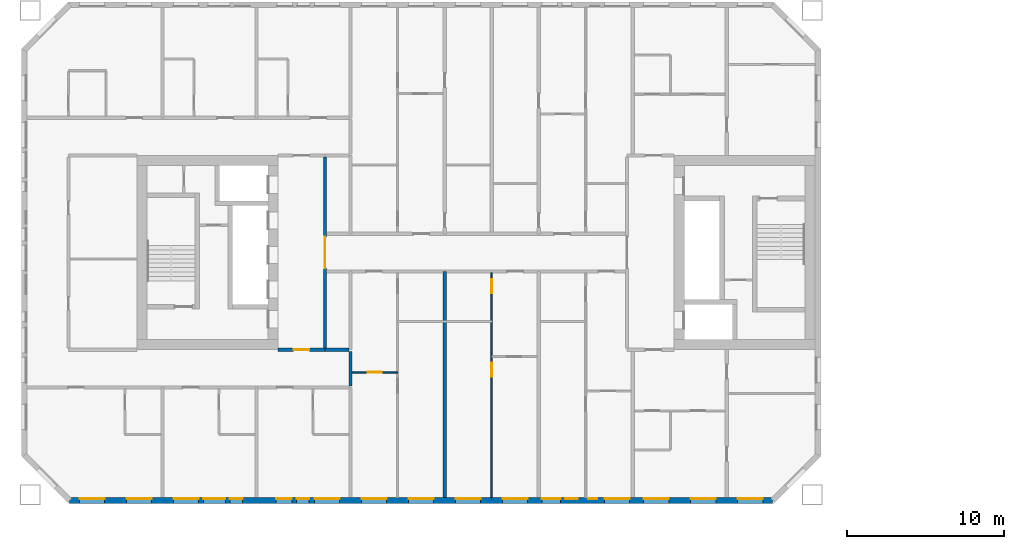
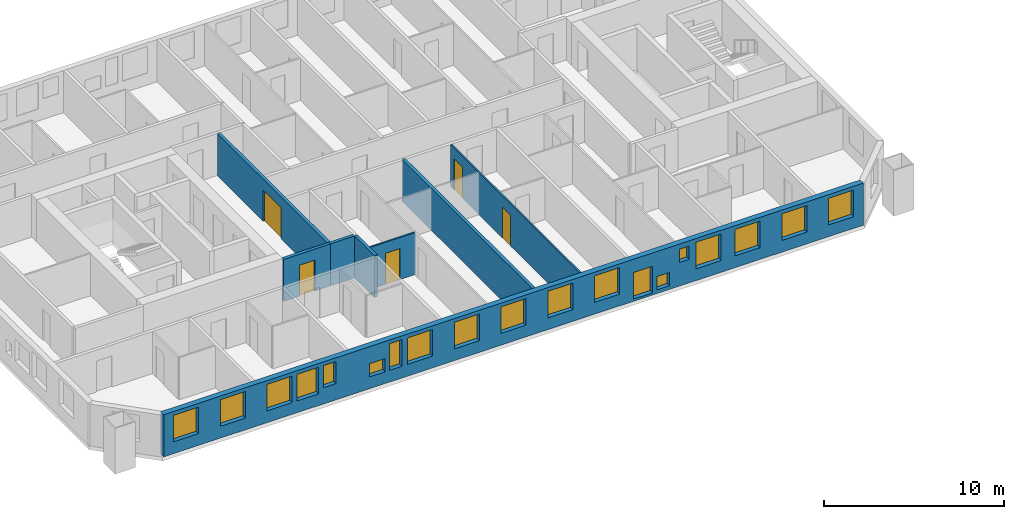
# One storey, part 4 of 17: 19 windows, 8 walls, 5 doors, 24 openings.
"""IFC4 building model written with IfcOpenShell, lengths in metres."""

from ifc_helpers import new_model, si_unit, direction, frame, frame_2d, origin, place, context, subcontext, project, spatial, rectangle, extrude, material, layer, layer_set, type_object, element, fill, save


model = new_model("IFC4")

# Units and contexts
model_context = context("Model", 3, precision=1e-05, world=origin(), true_north=direction((0.0, 1.0)))
body_context = subcontext(model_context, "Body", "Model", "MODEL_VIEW")
ifc_project = project(units=[si_unit("LENGTHUNIT", "METRE"), si_unit("AREAUNIT", "SQUARE_METRE"), si_unit("VOLUMEUNIT", "CUBIC_METRE"), si_unit("PLANEANGLEUNIT", "RADIAN"), si_unit("MASSUNIT", "GRAM", prefix="KILO")], contexts=[model_context])

# Site, building, storey
site_placement = place(None, origin())
site = spatial("IfcSite", under=ifc_project, at=site_placement, CompositionType="ELEMENT")
building_placement = place(site_placement, origin())
building = spatial("IfcBuilding", under=site, at=building_placement, Name="Tuart Gate Housing", CompositionType="ELEMENT")
storey_placement = place(building_placement, frame((0.0, 0.0, 105.699951171875)))
storey = spatial("IfcBuildingStorey", under=building, at=storey_placement, Name="L29", CompositionType="ELEMENT", Elevation=105.699951171875)

# Wall, openings, windows
ifc_material_1 = material(Name="Brick", Category="masonry")
ifc_layer_1 = layer(ifc_material_1, 0.360107421875)
ifc_layer_set_1 = layer_set([ifc_layer_1], Name="Brick pier and spandrel wall 360")
wall_type_1 = type_object("IfcWallType", Name="Brick pier and spandrel wall 360", PredefinedType="STANDARD", material=ifc_layer_set_1)
wall_1_placement = place(storey_placement, frame((28.07470703125, 54.179931640625, 0.0), z_axis=(0.0, 0.0, 1.0), x_axis=(1.0, 0.0, 0.0)))
wall_1 = element("IfcWall", 1, at=wall_1_placement, inside=storey, type_object=wall_type_1, Name="External wall A-S L29", PredefinedType="STANDARD", context=body_context, shape_type="SweptSolid", body=[
    extrude(rectangle(XDim=44.850830078125, YDim=0.360107421875, at=frame_2d((22.42529296875, 0.0))), origin(), (0.0, 0.0, 1.0), 2.85009765625),
])
opening_1_placement = place(wall_1_placement, frame((0.62548828125, 0.0, 0.800048828125)))
opening_1 = element("IfcOpeningElement", 2, at=opening_1_placement, cuts=wall_1, Name="Opening W1", PredefinedType="OPENING", context=body_context, shape_type="SweptSolid", body=[
    extrude(rectangle(XDim=1.60009765625, YDim=1.800048828125, at=frame_2d((0.800048828125, 0.89990234375))), frame((0.0, 0.18994140625, 0.0), z_axis=(0.0, -1.0, 0.0), x_axis=(1.0, 0.0, 0.0)), (0.0, 0.0, 1.0), 0.380126953125),
])
opening_2_placement = place(wall_1_placement, frame((3.62548828125, 0.0, 0.800048828125)))
opening_2 = element("IfcOpeningElement", 3, at=opening_2_placement, cuts=wall_1, Name="Opening W1", PredefinedType="OPENING", context=body_context, shape_type="SweptSolid", body=[
    extrude(rectangle(XDim=1.60009765625, YDim=1.800048828125, at=frame_2d((0.800048828125, 0.89990234375))), frame((0.0, 0.18994140625, 0.0), z_axis=(0.0, -1.0, 0.0), x_axis=(1.0, 0.0, 0.0)), (0.0, 0.0, 1.0), 0.380126953125),
])
opening_3_placement = place(wall_1_placement, frame((6.62548828125, 0.0, 0.800048828125)))
opening_3 = element("IfcOpeningElement", 4, at=opening_3_placement, cuts=wall_1, Name="Opening W1", PredefinedType="OPENING", context=body_context, shape_type="SweptSolid", body=[
    extrude(rectangle(XDim=1.60009765625, YDim=1.800048828125, at=frame_2d((0.800048828125, 0.89990234375))), frame((0.0, 0.18994140625, 0.0), z_axis=(0.0, -1.0, 0.0), x_axis=(1.0, 0.0, 0.0)), (0.0, 0.0, 1.0), 0.380126953125),
])
opening_4_placement = place(wall_1_placement, frame((8.525390625, 0.0, 0.800048828125)))
opening_4 = element("IfcOpeningElement", 5, at=opening_4_placement, cuts=wall_1, Name="Opening W1A", PredefinedType="OPENING", context=body_context, shape_type="SweptSolid", body=[
    extrude(rectangle(XDim=1.39990234375, YDim=1.800048828125, at=frame_2d((0.699951171875, 0.89990234375))), frame((0.0, 0.18994140625, 0.0), z_axis=(0.0, -1.0, 0.0), x_axis=(1.0, 0.0, 0.0)), (0.0, 0.0, 1.0), 0.380126953125),
])
opening_5_placement = place(wall_1_placement, frame((13.17529296875, 0.0, 0.800048828125)))
opening_5 = element("IfcOpeningElement", 6, at=opening_5_placement, cuts=wall_1, Name="Opening W1U", PredefinedType="OPENING", context=body_context, shape_type="SweptSolid", body=[
    extrude(rectangle(XDim=1.0, YDim=0.89990234375, at=frame_2d((0.5, 0.449951171875))), frame((0.0, 0.18994140625, 0.0), z_axis=(0.0, -1.0, 0.0), x_axis=(1.0, 0.0, 0.0)), (0.0, 0.0, 1.0), 0.380126953125),
])
opening_6_placement = place(wall_1_placement, frame((15.62548828125, 0.0, 0.800048828125)))
opening_6 = element("IfcOpeningElement", 7, at=opening_6_placement, cuts=wall_1, Name="Opening W1", PredefinedType="OPENING", context=body_context, shape_type="SweptSolid", body=[
    extrude(rectangle(XDim=1.60009765625, YDim=1.800048828125, at=frame_2d((0.800048828125, 0.89990234375))), frame((0.0, 0.18994140625, 0.0), z_axis=(0.0, -1.0, 0.0), x_axis=(1.0, 0.0, 0.0)), (0.0, 0.0, 1.0), 0.380126953125),
])
opening_7_placement = place(wall_1_placement, frame((18.62548828125, 0.0, 0.800048828125)))
opening_7 = element("IfcOpeningElement", 8, at=opening_7_placement, cuts=wall_1, Name="Opening W1", PredefinedType="OPENING", context=body_context, shape_type="SweptSolid", body=[
    extrude(rectangle(XDim=1.60009765625, YDim=1.800048828125, at=frame_2d((0.800048828125, 0.89990234375))), frame((0.0, 0.18994140625, 0.0), z_axis=(0.0, -1.0, 0.0), x_axis=(1.0, 0.0, 0.0)), (0.0, 0.0, 1.0), 0.380126953125),
])
opening_8_placement = place(wall_1_placement, frame((21.62548828125, 0.0, 0.800048828125)))
opening_8 = element("IfcOpeningElement", 9, at=opening_8_placement, cuts=wall_1, Name="Opening W1", PredefinedType="OPENING", context=body_context, shape_type="SweptSolid", body=[
    extrude(rectangle(XDim=1.60009765625, YDim=1.800048828125, at=frame_2d((0.800048828125, 0.89990234375))), frame((0.0, 0.18994140625, 0.0), z_axis=(0.0, -1.0, 0.0), x_axis=(1.0, 0.0, 0.0)), (0.0, 0.0, 1.0), 0.380126953125),
])
opening_9_placement = place(wall_1_placement, frame((24.62548828125, 0.0, 0.800048828125)))
opening_9 = element("IfcOpeningElement", 10, at=opening_9_placement, cuts=wall_1, Name="Opening W1", PredefinedType="OPENING", context=body_context, shape_type="SweptSolid", body=[
    extrude(rectangle(XDim=1.60009765625, YDim=1.800048828125, at=frame_2d((0.800048828125, 0.89990234375))), frame((0.0, 0.18994140625, 0.0), z_axis=(0.0, -1.0, 0.0), x_axis=(1.0, 0.0, 0.0)), (0.0, 0.0, 1.0), 0.380126953125),
])
opening_10_placement = place(wall_1_placement, frame((27.62548828125, 0.0, 0.800048828125)))
opening_10 = element("IfcOpeningElement", 11, at=opening_10_placement, cuts=wall_1, Name="Opening W1", PredefinedType="OPENING", context=body_context, shape_type="SweptSolid", body=[
    extrude(rectangle(XDim=1.60009765625, YDim=1.800048828125, at=frame_2d((0.800048828125, 0.89990234375))), frame((0.0, 0.18994140625, 0.0), z_axis=(0.0, -1.0, 0.0), x_axis=(1.0, 0.0, 0.0)), (0.0, 0.0, 1.0), 0.380126953125),
])
opening_11_placement = place(wall_1_placement, frame((30.12548828125, 0.0, 0.14990234375)))
opening_11 = element("IfcOpeningElement", 12, at=opening_11_placement, cuts=wall_1, Name="Opening W1B", PredefinedType="OPENING", context=body_context, shape_type="SweptSolid", body=[
    extrude(rectangle(XDim=1.199951171875, YDim=1.800048828125, at=frame_2d((0.60009765625, 0.89990234375))), frame((0.0, 0.18994140625, 0.0), z_axis=(0.0, -1.0, 0.0), x_axis=(1.0, 0.0, 0.0)), (0.0, 0.0, 1.0), 0.380126953125),
])
opening_12_placement = place(wall_1_placement, frame((33.075439453125, 0.0, 1.60009765625)))
opening_12 = element("IfcOpeningElement", 13, at=opening_12_placement, cuts=wall_1, Name="Opening W1W", PredefinedType="OPENING", context=body_context, shape_type="SweptSolid", body=[
    extrude(rectangle(XDim=0.60009765625, YDim=0.89990234375, at=frame_2d((0.300048828125, 0.449951171875))), frame((0.0, 0.18994140625, 0.0), z_axis=(0.0, -1.0, 0.0), x_axis=(1.0, 0.0, 0.0)), (0.0, 0.0, 1.0), 0.380126953125),
])
opening_13_placement = place(wall_1_placement, frame((36.62548828125, 0.0, 0.800048828125)))
opening_13 = element("IfcOpeningElement", 14, at=opening_13_placement, cuts=wall_1, Name="Opening W1", PredefinedType="OPENING", context=body_context, shape_type="SweptSolid", body=[
    extrude(rectangle(XDim=1.60009765625, YDim=1.800048828125, at=frame_2d((0.800048828125, 0.89990234375))), frame((0.0, 0.18994140625, 0.0), z_axis=(0.0, -1.0, 0.0), x_axis=(1.0, 0.0, 0.0)), (0.0, 0.0, 1.0), 0.380126953125),
])
opening_14_placement = place(wall_1_placement, frame((39.62548828125, 0.0, 0.800048828125)))
opening_14 = element("IfcOpeningElement", 15, at=opening_14_placement, cuts=wall_1, Name="Opening W1", PredefinedType="OPENING", context=body_context, shape_type="SweptSolid", body=[
    extrude(rectangle(XDim=1.60009765625, YDim=1.800048828125, at=frame_2d((0.800048828125, 0.89990234375))), frame((0.0, 0.18994140625, 0.0), z_axis=(0.0, -1.0, 0.0), x_axis=(1.0, 0.0, 0.0)), (0.0, 0.0, 1.0), 0.380126953125),
])
opening_15_placement = place(wall_1_placement, frame((42.62548828125, 0.0, 0.800048828125)))
opening_15 = element("IfcOpeningElement", 16, at=opening_15_placement, cuts=wall_1, Name="Opening W1", PredefinedType="OPENING", context=body_context, shape_type="SweptSolid", body=[
    extrude(rectangle(XDim=1.60009765625, YDim=1.800048828125, at=frame_2d((0.800048828125, 0.89990234375))), frame((0.0, 0.18994140625, 0.0), z_axis=(0.0, -1.0, 0.0), x_axis=(1.0, 0.0, 0.0)), (0.0, 0.0, 1.0), 0.380126953125),
])
opening_16_placement = place(wall_1_placement, frame((10.225341796875, 0.0, 1.10009765625)))
opening_16 = element("IfcOpeningElement", 17, at=opening_16_placement, cuts=wall_1, Name="Opening W1J", PredefinedType="OPENING", context=body_context, shape_type="SweptSolid", body=[
    extrude(rectangle(XDim=0.800048828125, YDim=1.5, at=frame_2d((0.39990234375, 0.75))), frame((0.0, 0.18994140625, 0.0), z_axis=(0.0, -1.0, 0.0), x_axis=(1.0, 0.0, 0.0)), (0.0, 0.0, 1.0), 0.380126953125),
])
opening_17_placement = place(wall_1_placement, frame((14.475341796875, 0.0, 0.800048828125)))
opening_17 = element("IfcOpeningElement", 18, at=opening_17_placement, cuts=wall_1, Name="Opening W1D", PredefinedType="OPENING", context=body_context, shape_type="SweptSolid", body=[
    extrude(rectangle(XDim=0.800048828125, YDim=1.800048828125, at=frame_2d((0.39990234375, 0.89990234375))), frame((0.0, 0.18994140625, 0.0), z_axis=(0.0, -1.0, 0.0), x_axis=(1.0, 0.0, 0.0)), (0.0, 0.0, 1.0), 0.380126953125),
])
opening_18_placement = place(wall_1_placement, frame((31.62548828125, 0.0, 0.25)))
opening_18 = element("IfcOpeningElement", 19, at=opening_18_placement, cuts=wall_1, Name="Opening W1V", PredefinedType="OPENING", context=body_context, shape_type="SweptSolid", body=[
    extrude(rectangle(XDim=0.800048828125, YDim=0.89990234375, at=frame_2d((0.39990234375, 0.449951171875))), frame((0.0, 0.18994140625, 0.0), z_axis=(0.0, -1.0, 0.0), x_axis=(1.0, 0.0, 0.0)), (0.0, 0.0, 1.0), 0.380126953125),
])
opening_19_placement = place(wall_1_placement, frame((34.12548828125, 0.0, 0.800048828125)))
opening_19 = element("IfcOpeningElement", 20, at=opening_19_placement, cuts=wall_1, Name="Opening W1", PredefinedType="OPENING", context=body_context, shape_type="SweptSolid", body=[
    extrude(rectangle(XDim=1.60009765625, YDim=1.800048828125, at=frame_2d((0.800048828125, 0.89990234375))), frame((0.0, 0.18994140625, 0.0), z_axis=(0.0, -1.0, 0.0), x_axis=(1.0, 0.0, 0.0)), (0.0, 0.0, 1.0), 0.380126953125),
])
ifc_material_2 = material(Name="Aluminium frame with clear glass", Category="aluminium")
window_type_1 = type_object("IfcWindowType", Name="Punched window 1000 x 900", PartitioningType="SINGLE_PANEL", PredefinedType="WINDOW", material=ifc_material_2)
window_1_placement = place(opening_5_placement, origin())
window_1 = element("IfcWindow", 21, at=window_1_placement, inside=storey, type_object=window_type_1, Name="Window W1U", OverallHeight=0.89990234375, OverallWidth=1.0, PartitioningType="SINGLE_PANEL", PredefinedType="WINDOW", context=body_context, shape_type="SweptSolid", body=[
    extrude(rectangle(XDim=1.0, YDim=0.89990234375, at=frame_2d((0.5, 0.449951171875))), frame((0.0, 0.150146484375, 0.0), z_axis=(0.0, -1.0, 0.0), x_axis=(1.0, 0.0, 0.0)), (0.0, 0.0, 1.0), 0.06005859375),
])
fill(opening_5, window_1)
ifc_material_3 = material(Name="Aluminium frame with clear glass", Category="aluminium")
window_type_2 = type_object("IfcWindowType", Name="Punched window 1200 x 1800", PartitioningType="SINGLE_PANEL", PredefinedType="WINDOW", material=ifc_material_3)
window_2_placement = place(opening_11_placement, origin())
window_2 = element("IfcWindow", 22, at=window_2_placement, inside=storey, type_object=window_type_2, Name="Window W1B", OverallHeight=1.800048828125, OverallWidth=1.199951171875, PartitioningType="SINGLE_PANEL", PredefinedType="WINDOW", context=body_context, shape_type="SweptSolid", body=[
    extrude(rectangle(XDim=1.199951171875, YDim=1.800048828125, at=frame_2d((0.60009765625, 0.89990234375))), frame((0.0, 0.150146484375, 0.0), z_axis=(0.0, -1.0, 0.0), x_axis=(1.0, 0.0, 0.0)), (0.0, 0.0, 1.0), 0.06005859375),
])
fill(opening_11, window_2)
ifc_material_4 = material(Name="Aluminium frame with clear glass", Category="aluminium")
window_type_3 = type_object("IfcWindowType", Name="Punched window 1400 x 1800", PartitioningType="SINGLE_PANEL", PredefinedType="WINDOW", material=ifc_material_4)
window_3_placement = place(opening_4_placement, origin())
window_3 = element("IfcWindow", 23, at=window_3_placement, inside=storey, type_object=window_type_3, Name="Window W1A", OverallHeight=1.800048828125, OverallWidth=1.39990234375, PartitioningType="SINGLE_PANEL", PredefinedType="WINDOW", context=body_context, shape_type="SweptSolid", body=[
    extrude(rectangle(XDim=1.39990234375, YDim=1.800048828125, at=frame_2d((0.699951171875, 0.89990234375))), frame((0.0, 0.150146484375, 0.0), z_axis=(0.0, -1.0, 0.0), x_axis=(1.0, 0.0, 0.0)), (0.0, 0.0, 1.0), 0.06005859375),
])
fill(opening_4, window_3)
ifc_material_5 = material(Name="Aluminium frame with clear glass", Category="aluminium")
window_type_4 = type_object("IfcWindowType", Name="Punched window 1600 x 1800", PartitioningType="SINGLE_PANEL", PredefinedType="WINDOW", material=ifc_material_5)
window_4_placement = place(opening_1_placement, origin())
window_4 = element("IfcWindow", 24, at=window_4_placement, inside=storey, type_object=window_type_4, Name="Window W1", OverallHeight=1.800048828125, OverallWidth=1.60009765625, PartitioningType="SINGLE_PANEL", PredefinedType="WINDOW", context=body_context, shape_type="SweptSolid", body=[
    extrude(rectangle(XDim=1.60009765625, YDim=1.800048828125, at=frame_2d((0.800048828125, 0.89990234375))), frame((0.0, 0.150146484375, 0.0), z_axis=(0.0, -1.0, 0.0), x_axis=(1.0, 0.0, 0.0)), (0.0, 0.0, 1.0), 0.06005859375),
])
fill(opening_1, window_4)
window_5_placement = place(opening_2_placement, origin())
window_5 = element("IfcWindow", 25, at=window_5_placement, inside=storey, type_object=window_type_4, Name="Window W1", OverallHeight=1.800048828125, OverallWidth=1.60009765625, PartitioningType="SINGLE_PANEL", PredefinedType="WINDOW", context=body_context, shape_type="SweptSolid", body=[
    extrude(rectangle(XDim=1.60009765625, YDim=1.800048828125, at=frame_2d((0.800048828125, 0.89990234375))), frame((0.0, 0.150146484375, 0.0), z_axis=(0.0, -1.0, 0.0), x_axis=(1.0, 0.0, 0.0)), (0.0, 0.0, 1.0), 0.06005859375),
])
fill(opening_2, window_5)
window_6_placement = place(opening_3_placement, origin())
window_6 = element("IfcWindow", 26, at=window_6_placement, inside=storey, type_object=window_type_4, Name="Window W1", OverallHeight=1.800048828125, OverallWidth=1.60009765625, PartitioningType="SINGLE_PANEL", PredefinedType="WINDOW", context=body_context, shape_type="SweptSolid", body=[
    extrude(rectangle(XDim=1.60009765625, YDim=1.800048828125, at=frame_2d((0.800048828125, 0.89990234375))), frame((0.0, 0.150146484375, 0.0), z_axis=(0.0, -1.0, 0.0), x_axis=(1.0, 0.0, 0.0)), (0.0, 0.0, 1.0), 0.06005859375),
])
fill(opening_3, window_6)
window_7_placement = place(opening_6_placement, origin())
window_7 = element("IfcWindow", 27, at=window_7_placement, inside=storey, type_object=window_type_4, Name="Window W1", OverallHeight=1.800048828125, OverallWidth=1.60009765625, PartitioningType="SINGLE_PANEL", PredefinedType="WINDOW", context=body_context, shape_type="SweptSolid", body=[
    extrude(rectangle(XDim=1.60009765625, YDim=1.800048828125, at=frame_2d((0.800048828125, 0.89990234375))), frame((0.0, 0.150146484375, 0.0), z_axis=(0.0, -1.0, 0.0), x_axis=(1.0, 0.0, 0.0)), (0.0, 0.0, 1.0), 0.06005859375),
])
fill(opening_6, window_7)
window_8_placement = place(opening_7_placement, origin())
window_8 = element("IfcWindow", 28, at=window_8_placement, inside=storey, type_object=window_type_4, Name="Window W1", OverallHeight=1.800048828125, OverallWidth=1.60009765625, PartitioningType="SINGLE_PANEL", PredefinedType="WINDOW", context=body_context, shape_type="SweptSolid", body=[
    extrude(rectangle(XDim=1.60009765625, YDim=1.800048828125, at=frame_2d((0.800048828125, 0.89990234375))), frame((0.0, 0.150146484375, 0.0), z_axis=(0.0, -1.0, 0.0), x_axis=(1.0, 0.0, 0.0)), (0.0, 0.0, 1.0), 0.06005859375),
])
fill(opening_7, window_8)
window_9_placement = place(opening_8_placement, origin())
window_9 = element("IfcWindow", 29, at=window_9_placement, inside=storey, type_object=window_type_4, Name="Window W1", OverallHeight=1.800048828125, OverallWidth=1.60009765625, PartitioningType="SINGLE_PANEL", PredefinedType="WINDOW", context=body_context, shape_type="SweptSolid", body=[
    extrude(rectangle(XDim=1.60009765625, YDim=1.800048828125, at=frame_2d((0.800048828125, 0.89990234375))), frame((0.0, 0.150146484375, 0.0), z_axis=(0.0, -1.0, 0.0), x_axis=(1.0, 0.0, 0.0)), (0.0, 0.0, 1.0), 0.06005859375),
])
fill(opening_8, window_9)
window_10_placement = place(opening_9_placement, origin())
window_10 = element("IfcWindow", 30, at=window_10_placement, inside=storey, type_object=window_type_4, Name="Window W1", OverallHeight=1.800048828125, OverallWidth=1.60009765625, PartitioningType="SINGLE_PANEL", PredefinedType="WINDOW", context=body_context, shape_type="SweptSolid", body=[
    extrude(rectangle(XDim=1.60009765625, YDim=1.800048828125, at=frame_2d((0.800048828125, 0.89990234375))), frame((0.0, 0.150146484375, 0.0), z_axis=(0.0, -1.0, 0.0), x_axis=(1.0, 0.0, 0.0)), (0.0, 0.0, 1.0), 0.06005859375),
])
fill(opening_9, window_10)
window_11_placement = place(opening_10_placement, origin())
window_11 = element("IfcWindow", 31, at=window_11_placement, inside=storey, type_object=window_type_4, Name="Window W1", OverallHeight=1.800048828125, OverallWidth=1.60009765625, PartitioningType="SINGLE_PANEL", PredefinedType="WINDOW", context=body_context, shape_type="SweptSolid", body=[
    extrude(rectangle(XDim=1.60009765625, YDim=1.800048828125, at=frame_2d((0.800048828125, 0.89990234375))), frame((0.0, 0.150146484375, 0.0), z_axis=(0.0, -1.0, 0.0), x_axis=(1.0, 0.0, 0.0)), (0.0, 0.0, 1.0), 0.06005859375),
])
fill(opening_10, window_11)
window_12_placement = place(opening_13_placement, origin())
window_12 = element("IfcWindow", 32, at=window_12_placement, inside=storey, type_object=window_type_4, Name="Window W1", OverallHeight=1.800048828125, OverallWidth=1.60009765625, PartitioningType="SINGLE_PANEL", PredefinedType="WINDOW", context=body_context, shape_type="SweptSolid", body=[
    extrude(rectangle(XDim=1.60009765625, YDim=1.800048828125, at=frame_2d((0.800048828125, 0.89990234375))), frame((0.0, 0.150146484375, 0.0), z_axis=(0.0, -1.0, 0.0), x_axis=(1.0, 0.0, 0.0)), (0.0, 0.0, 1.0), 0.06005859375),
])
fill(opening_13, window_12)
window_13_placement = place(opening_14_placement, origin())
window_13 = element("IfcWindow", 33, at=window_13_placement, inside=storey, type_object=window_type_4, Name="Window W1", OverallHeight=1.800048828125, OverallWidth=1.60009765625, PartitioningType="SINGLE_PANEL", PredefinedType="WINDOW", context=body_context, shape_type="SweptSolid", body=[
    extrude(rectangle(XDim=1.60009765625, YDim=1.800048828125, at=frame_2d((0.800048828125, 0.89990234375))), frame((0.0, 0.150146484375, 0.0), z_axis=(0.0, -1.0, 0.0), x_axis=(1.0, 0.0, 0.0)), (0.0, 0.0, 1.0), 0.06005859375),
])
fill(opening_14, window_13)
window_14_placement = place(opening_15_placement, origin())
window_14 = element("IfcWindow", 34, at=window_14_placement, inside=storey, type_object=window_type_4, Name="Window W1", OverallHeight=1.800048828125, OverallWidth=1.60009765625, PartitioningType="SINGLE_PANEL", PredefinedType="WINDOW", context=body_context, shape_type="SweptSolid", body=[
    extrude(rectangle(XDim=1.60009765625, YDim=1.800048828125, at=frame_2d((0.800048828125, 0.89990234375))), frame((0.0, 0.150146484375, 0.0), z_axis=(0.0, -1.0, 0.0), x_axis=(1.0, 0.0, 0.0)), (0.0, 0.0, 1.0), 0.06005859375),
])
fill(opening_15, window_14)
window_15_placement = place(opening_19_placement, origin())
window_15 = element("IfcWindow", 35, at=window_15_placement, inside=storey, type_object=window_type_4, Name="Window W1", OverallHeight=1.800048828125, OverallWidth=1.60009765625, PartitioningType="SINGLE_PANEL", PredefinedType="WINDOW", context=body_context, shape_type="SweptSolid", body=[
    extrude(rectangle(XDim=1.60009765625, YDim=1.800048828125, at=frame_2d((0.800048828125, 0.89990234375))), frame((0.0, 0.150146484375, 0.0), z_axis=(0.0, -1.0, 0.0), x_axis=(1.0, 0.0, 0.0)), (0.0, 0.0, 1.0), 0.06005859375),
])
fill(opening_19, window_15)
ifc_material_6 = material(Name="Aluminium frame with clear glass", Category="aluminium")
window_type_5 = type_object("IfcWindowType", Name="Punched window 600 x 900", PartitioningType="SINGLE_PANEL", PredefinedType="WINDOW", material=ifc_material_6)
window_16_placement = place(opening_12_placement, origin())
window_16 = element("IfcWindow", 36, at=window_16_placement, inside=storey, type_object=window_type_5, Name="Window W1W", OverallHeight=0.89990234375, OverallWidth=0.60009765625, PartitioningType="SINGLE_PANEL", PredefinedType="WINDOW", context=body_context, shape_type="SweptSolid", body=[
    extrude(rectangle(XDim=0.60009765625, YDim=0.89990234375, at=frame_2d((0.300048828125, 0.449951171875))), frame((0.0, 0.150146484375, 0.0), z_axis=(0.0, -1.0, 0.0), x_axis=(1.0, 0.0, 0.0)), (0.0, 0.0, 1.0), 0.06005859375),
])
fill(opening_12, window_16)
ifc_material_7 = material(Name="Aluminium frame with clear glass", Category="aluminium")
window_type_6 = type_object("IfcWindowType", Name="Punched window 800 x 1500", PartitioningType="SINGLE_PANEL", PredefinedType="WINDOW", material=ifc_material_7)
window_17_placement = place(opening_16_placement, origin())
window_17 = element("IfcWindow", 37, at=window_17_placement, inside=storey, type_object=window_type_6, Name="Window W1J", OverallHeight=1.5, OverallWidth=0.800048828125, PartitioningType="SINGLE_PANEL", PredefinedType="WINDOW", context=body_context, shape_type="SweptSolid", body=[
    extrude(rectangle(XDim=0.800048828125, YDim=1.5, at=frame_2d((0.39990234375, 0.75))), frame((0.0, 0.150146484375, 0.0), z_axis=(0.0, -1.0, 0.0), x_axis=(1.0, 0.0, 0.0)), (0.0, 0.0, 1.0), 0.06005859375),
])
fill(opening_16, window_17)
ifc_material_8 = material(Name="Aluminium frame with clear glass", Category="aluminium")
window_type_7 = type_object("IfcWindowType", Name="Punched window 800 x 1800", PartitioningType="SINGLE_PANEL", PredefinedType="WINDOW", material=ifc_material_8)
window_18_placement = place(opening_17_placement, origin())
window_18 = element("IfcWindow", 38, at=window_18_placement, inside=storey, type_object=window_type_7, Name="Window W1D", OverallHeight=1.800048828125, OverallWidth=0.800048828125, PartitioningType="SINGLE_PANEL", PredefinedType="WINDOW", context=body_context, shape_type="SweptSolid", body=[
    extrude(rectangle(XDim=0.800048828125, YDim=1.800048828125, at=frame_2d((0.39990234375, 0.89990234375))), frame((0.0, 0.150146484375, 0.0), z_axis=(0.0, -1.0, 0.0), x_axis=(1.0, 0.0, 0.0)), (0.0, 0.0, 1.0), 0.06005859375),
])
fill(opening_17, window_18)
ifc_material_9 = material(Name="Aluminium frame with clear glass", Category="aluminium")
window_type_8 = type_object("IfcWindowType", Name="Punched window 800 x 900", PartitioningType="SINGLE_PANEL", PredefinedType="WINDOW", material=ifc_material_9)
window_19_placement = place(opening_18_placement, origin())
window_19 = element("IfcWindow", 39, at=window_19_placement, inside=storey, type_object=window_type_8, Name="Window W1V", OverallHeight=0.89990234375, OverallWidth=0.800048828125, PartitioningType="SINGLE_PANEL", PredefinedType="WINDOW", context=body_context, shape_type="SweptSolid", body=[
    extrude(rectangle(XDim=0.800048828125, YDim=0.89990234375, at=frame_2d((0.39990234375, 0.449951171875))), frame((0.0, 0.150146484375, 0.0), z_axis=(0.0, -1.0, 0.0), x_axis=(1.0, 0.0, 0.0)), (0.0, 0.0, 1.0), 0.06005859375),
])
fill(opening_18, window_19)

# Walls
ifc_material_10 = material(Name="Concrete masonry 15 MPa", Category="masonry")
ifc_layer_2 = layer(ifc_material_10, 0.199951171875)
ifc_layer_set_2 = layer_set([ifc_layer_2], Name="Corridor wall masonry 200")
wall_type_2 = type_object("IfcWallType", Name="Corridor wall masonry 200", PredefinedType="PARTITIONING", material=ifc_layer_set_2)
wall_2_placement = place(storey_placement, frame((44.360107421875, 63.800048828125, 0.0), z_axis=(0.0, 0.0, 1.0), x_axis=(1.0, 0.0, 0.0)))
element("IfcWall", 40, at=wall_2_placement, inside=storey, type_object=wall_type_2, Name="Corridor wall masonry 200", PredefinedType="PARTITIONING", context=body_context, shape_type="SweptSolid", body=[
    extrude(rectangle(XDim=1.539794921875, YDim=0.199951171875, at=frame_2d((0.77001953125, 0.0))), origin(), (0.0, 0.0, 1.0), 2.85009765625),
])
wall_3_placement = place(storey_placement, frame((46.0, 61.5, 0.0), z_axis=(0.0, 0.0, 1.0), x_axis=(0.0, 1.0, 0.0)))
element("IfcWall", 41, at=wall_3_placement, inside=storey, type_object=wall_type_2, Name="Corridor wall masonry 200", PredefinedType="PARTITIONING", context=body_context, shape_type="SweptSolid", body=[
    extrude(rectangle(XDim=2.199951171875, YDim=0.199951171875, at=frame_2d((1.10009765625, 0.0))), origin(), (0.0, 0.0, 1.0), 2.85009765625),
])

# Wall, opening, door
ifc_material_11 = material(Name="Concrete masonry 15 MPa", Category="masonry")
ifc_layer_3 = layer(ifc_material_11, 0.199951171875)
ifc_layer_set_3 = layer_set([ifc_layer_3], Name="Enclosure wall masonry 200")
wall_type_3 = type_object("IfcWallType", Name="Enclosure wall masonry 200", PredefinedType="PARTITIONING", material=ifc_layer_set_3)
wall_4_placement = place(storey_placement, frame((41.360107421875, 63.800048828125, 0.0), z_axis=(0.0, 0.0, 1.0), x_axis=(1.0, 0.0, 0.0)))
wall_4 = element("IfcWall", 42, at=wall_4_placement, inside=storey, type_object=wall_type_3, Name="Enclosure wall masonry 200", PredefinedType="PARTITIONING", context=body_context, shape_type="SweptSolid", body=[
    extrude(rectangle(XDim=3.0, YDim=0.199951171875, at=frame_2d((1.5, 0.0))), origin(), (0.0, 0.0, 1.0), 2.85009765625),
])
opening_20_placement = place(wall_4_placement, frame((1.0, 0.0, 0.0)))
opening_20 = element("IfcOpeningElement", 43, at=opening_20_placement, cuts=wall_4, Name="Opening D1216", PredefinedType="OPENING", context=body_context, shape_type="SweptSolid", body=[
    extrude(rectangle(XDim=1.0, YDim=2.10009765625, at=frame_2d((0.5, 1.050048828125))), frame((0.0, 0.10986328125, 0.0), z_axis=(0.0, -1.0, 0.0), x_axis=(1.0, 0.0, 0.0)), (0.0, 0.0, 1.0), 0.219970703125),
])
ifc_material_12 = material(Name="Timber door leaf in steel frame", Category="steel")
door_type_1 = type_object("IfcDoorType", Name="Fire door 1000", OperationType="SINGLE_SWING_LEFT", PredefinedType="DOOR", material=ifc_material_12)
door_1_placement = place(opening_20_placement, frame((1.0, 0.0, 0.0), z_axis=(0.0, 0.0, 1.0), x_axis=(-1.0, 0.0, 0.0)))
door_1 = element("IfcDoor", 44, at=door_1_placement, inside=storey, type_object=door_type_1, Name="Fire door", OperationType="SINGLE_SWING_LEFT", OverallHeight=2.10009765625, OverallWidth=1.0, PredefinedType="DOOR", context=body_context, shape_type="SweptSolid", body=[
    extrude(rectangle(XDim=1.0, YDim=2.10009765625, at=frame_2d((0.5, 1.050048828125))), frame((0.0, 0.025146484375, 0.0), z_axis=(0.0, -1.0, 0.0), x_axis=(1.0, 0.0, 0.0)), (0.0, 0.0, 1.0), 0.050048828125),
])
fill(opening_20, door_1)

ifc_material_13 = material(Name="Plasterboard partition")
ifc_layer_4 = layer(ifc_material_13, 0.199951171875)
ifc_layer_set_4 = layer_set([ifc_layer_4], Name="Lobby wall 200")
wall_type_4 = type_object("IfcWallType", Name="Lobby wall 200", PredefinedType="PARTITIONING", material=ifc_layer_set_4)
wall_5_placement = place(storey_placement, frame((44.360107421875, 63.89990234375, 0.0), z_axis=(0.0, 0.0, 1.0), x_axis=(0.0, 1.0, 0.0)))
wall_5 = element("IfcWall", 45, at=wall_5_placement, inside=storey, type_object=wall_type_4, Name="Lift lobby wall AK", PredefinedType="PARTITIONING", context=body_context, shape_type="SweptSolid", body=[
    extrude(rectangle(XDim=12.2001953125, YDim=0.199951171875, at=frame_2d((6.10009765625, 0.0))), origin(), (0.0, 0.0, 1.0), 2.85009765625),
])
opening_21_placement = place(wall_5_placement, frame((5.10009765625, 0.0, 0.0)))
opening_21 = element("IfcOpeningElement", 46, at=opening_21_placement, cuts=wall_5, Name="Opening D1208", PredefinedType="OPENING", context=body_context, shape_type="SweptSolid", body=[
    extrude(rectangle(XDim=2.0, YDim=2.10009765625, at=frame_2d((1.0, 1.050048828125))), frame((0.0, 0.10986328125, 0.0), z_axis=(0.0, -1.0, 0.0), x_axis=(1.0, 0.0, 0.0)), (0.0, 0.0, 1.0), 0.219970703125),
])
ifc_material_14 = material(Name="Steel fire door", Category="steel")
door_type_2 = type_object("IfcDoorType", Name="Smoke door 2000 x 2100", OperationType="DOUBLE_DOOR_SINGLE_SWING", PredefinedType="DOOR", material=ifc_material_14)
door_2_placement = place(opening_21_placement, origin())
door_2 = element("IfcDoor", 47, at=door_2_placement, inside=storey, type_object=door_type_2, Name="Lift lobby smoke door AK", OperationType="DOUBLE_DOOR_SINGLE_SWING", OverallHeight=2.10009765625, OverallWidth=2.0, PredefinedType="DOOR", context=body_context, shape_type="SweptSolid", body=[
    extrude(rectangle(XDim=2.0, YDim=2.10009765625, at=frame_2d((1.0, 1.050048828125))), frame((0.0, 0.02490234375, 0.0), z_axis=(0.0, -1.0, 0.0), x_axis=(1.0, 0.0, 0.0)), (0.0, 0.0, 1.0), 0.050048828125),
])
fill(opening_21, door_2)

ifc_material_15 = material(Name="Gypsum board on steel studs", Category="steel")
ifc_layer_5 = layer(ifc_material_15, 0.10009765625)
ifc_layer_set_5 = layer_set([ifc_layer_5], Name="Partition 100")
wall_type_5 = type_object("IfcWallType", Name="Partition 100", PredefinedType="PARTITIONING", material=ifc_layer_set_5)
wall_6_placement = place(storey_placement, frame((46.10009765625, 62.360107421875, 0.0), z_axis=(0.0, 0.0, 1.0), x_axis=(1.0, 0.0, 0.0)))
wall_6 = element("IfcWall", 48, at=wall_6_placement, inside=storey, type_object=wall_type_5, Name="Partition 100", PredefinedType="PARTITIONING", context=body_context, shape_type="SweptSolid", body=[
    extrude(rectangle(XDim=2.89990234375, YDim=0.10009765625, at=frame_2d((1.449951171875, 0.0))), origin(), (0.0, 0.0, 1.0), 2.85009765625),
])
opening_22_placement = place(wall_6_placement, frame((1.0, 0.0, 0.0)))
opening_22 = element("IfcOpeningElement", 49, at=opening_22_placement, cuts=wall_6, Name="Opening D1219", PredefinedType="OPENING", context=body_context, shape_type="SweptSolid", body=[
    extrude(rectangle(XDim=0.89990234375, YDim=2.10009765625, at=frame_2d((0.449951171875, 1.050048828125))), frame((0.0, 0.06005859375, 0.0), z_axis=(0.0, -1.0, 0.0), x_axis=(1.0, 0.0, 0.0)), (0.0, 0.0, 1.0), 0.1201171875),
])
ifc_material_16 = material(Name="Timber door leaf in steel frame", Category="steel")
door_type_3 = type_object("IfcDoorType", Name="Internal door 900 RH", OperationType="SINGLE_SWING_RIGHT", PredefinedType="DOOR", material=ifc_material_16)
door_3_placement = place(opening_22_placement, origin())
door_3 = element("IfcDoor", 50, at=door_3_placement, inside=storey, type_object=door_type_3, Name="Internal door", OperationType="SINGLE_SWING_RIGHT", OverallHeight=2.10009765625, OverallWidth=0.89990234375, PredefinedType="DOOR", context=body_context, shape_type="SweptSolid", body=[
    extrude(rectangle(XDim=0.89990234375, YDim=2.10009765625, at=frame_2d((0.449951171875, 1.050048828125))), frame((0.0, 0.02490234375, 0.0), z_axis=(0.0, -1.0, 0.0), x_axis=(1.0, 0.0, 0.0)), (0.0, 0.0, 1.0), 0.050048828125),
])
fill(opening_22, door_3)

# Wall, openings, doors
wall_7_placement = place(storey_placement, frame((55.0, 54.360107421875, 0.0), z_axis=(0.0, 0.0, 1.0), x_axis=(0.0, 1.0, 0.0)))
wall_7 = element("IfcWall", 51, at=wall_7_placement, inside=storey, type_object=wall_type_5, Name="Partition 100", PredefinedType="PARTITIONING", context=body_context, shape_type="SweptSolid", body=[
    extrude(rectangle(XDim=14.33984375, YDim=0.10009765625, at=frame_2d((7.169921875, 0.0))), origin(), (0.0, 0.0, 1.0), 2.85009765625),
])
opening_23_placement = place(wall_7_placement, frame((7.699951171875, 0.0, 0.0)))
opening_23 = element("IfcOpeningElement", 52, at=opening_23_placement, cuts=wall_7, Name="Opening D1223", PredefinedType="OPENING", context=body_context, shape_type="SweptSolid", body=[
    extrude(rectangle(XDim=0.89990234375, YDim=2.10009765625, at=frame_2d((0.449951171875, 1.050048828125))), frame((0.0, 0.06005859375, 0.0), z_axis=(0.0, -1.0, 0.0), x_axis=(1.0, 0.0, 0.0)), (0.0, 0.0, 1.0), 0.1201171875),
])
opening_24_placement = place(wall_7_placement, frame((13.0400390625, 0.0, 0.0)))
opening_24 = element("IfcOpeningElement", 53, at=opening_24_placement, cuts=wall_7, Name="Opening D1222", PredefinedType="OPENING", context=body_context, shape_type="SweptSolid", body=[
    extrude(rectangle(XDim=0.89990234375, YDim=2.10009765625, at=frame_2d((0.449951171875, 1.050048828125))), frame((0.0, 0.06005859375, 0.0), z_axis=(0.0, -1.0, 0.0), x_axis=(1.0, 0.0, 0.0)), (0.0, 0.0, 1.0), 0.1201171875),
])
ifc_material_17 = material(Name="Timber door leaf in steel frame", Category="steel")
door_type_4 = type_object("IfcDoorType", Name="Bathroom door 900 RH", OperationType="SINGLE_SWING_RIGHT", PredefinedType="DOOR", material=ifc_material_17)
door_4_placement = place(opening_24_placement, origin())
door_4 = element("IfcDoor", 54, at=door_4_placement, inside=storey, type_object=door_type_4, Name="Bathroom door", OperationType="SINGLE_SWING_RIGHT", OverallHeight=2.10009765625, OverallWidth=0.89990234375, PredefinedType="DOOR", context=body_context, shape_type="SweptSolid", body=[
    extrude(rectangle(XDim=0.89990234375, YDim=2.10009765625, at=frame_2d((0.449951171875, 1.050048828125))), frame((0.0, 0.02490234375, 0.0), z_axis=(0.0, -1.0, 0.0), x_axis=(1.0, 0.0, 0.0)), (0.0, 0.0, 1.0), 0.050048828125),
])
fill(opening_24, door_4)
door_5_placement = place(opening_23_placement, origin())
door_5 = element("IfcDoor", 55, at=door_5_placement, inside=storey, type_object=door_type_3, Name="Internal door", OperationType="SINGLE_SWING_RIGHT", OverallHeight=2.10009765625, OverallWidth=0.89990234375, PredefinedType="DOOR", context=body_context, shape_type="SweptSolid", body=[
    extrude(rectangle(XDim=0.89990234375, YDim=2.10009765625, at=frame_2d((0.449951171875, 1.050048828125))), frame((0.0, 0.02490234375, 0.0), z_axis=(0.0, -1.0, 0.0), x_axis=(1.0, 0.0, 0.0)), (0.0, 0.0, 1.0), 0.050048828125),
])
fill(opening_23, door_5)

# Wall
ifc_material_18 = material(Name="Concrete C40", Category="concrete")
ifc_layer_6 = layer(ifc_material_18, 0.199951171875)
ifc_layer_set_6 = layer_set([ifc_layer_6], Name="Party wall concrete C40 200")
wall_type_6 = type_object("IfcWallType", Name="Party wall concrete C40 200", PredefinedType="SOLIDWALL", material=ifc_layer_set_6)
wall_8_placement = place(storey_placement, frame((52.0, 54.360107421875, 0.0), z_axis=(0.0, 0.0, 1.0), x_axis=(0.0, 1.0, 0.0)))
element("IfcWall", 56, at=wall_8_placement, inside=storey, type_object=wall_type_6, Name="Party wall concrete C40 200", PredefinedType="SOLIDWALL", context=body_context, shape_type="SweptSolid", body=[
    extrude(rectangle(XDim=14.43994140625, YDim=0.199951171875, at=frame_2d((7.219970703125, 0.0))), origin(), (0.0, 0.0, 1.0), 2.85009765625),
])

save(model, "model.ifc")
